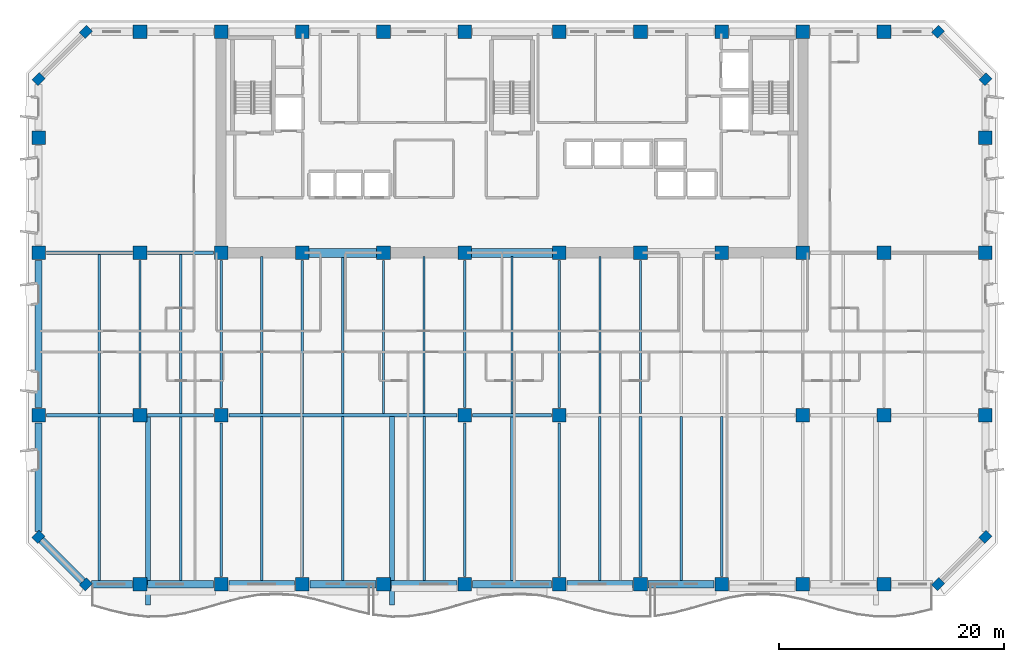
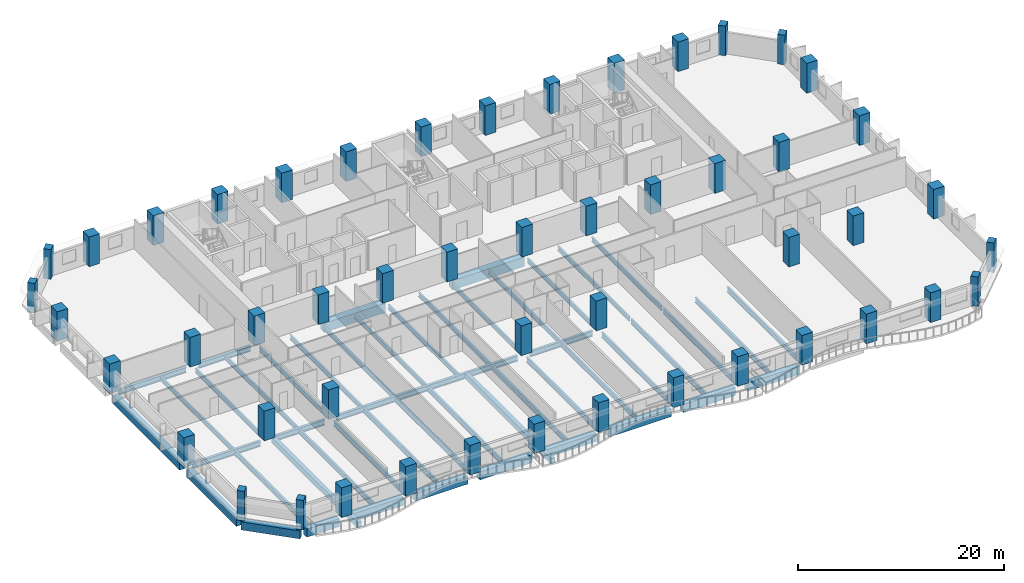
# One storey, part 1 of 14: 50 columns, 49 beams.
"""IFC4 building model written with IfcOpenShell, lengths in metres."""

from ifc_helpers import new_model, si_unit, direction, frame, origin, origin_2d, place, context, subcontext, project, spatial, rectangle, i_section, extrude, material, material_profile, profile_set, type_object, element, save


model = new_model("IFC4")

# Units and contexts
model_context = context("Model", 3, precision=1e-05, world=origin(), true_north=direction((0.0, 1.0)))
body_context = subcontext(model_context, "Body", "Model", "MODEL_VIEW")
ifc_project = project(units=[si_unit("LENGTHUNIT", "METRE"), si_unit("AREAUNIT", "SQUARE_METRE"), si_unit("VOLUMEUNIT", "CUBIC_METRE"), si_unit("PLANEANGLEUNIT", "RADIAN"), si_unit("MASSUNIT", "GRAM", prefix="KILO")], contexts=[model_context])

# Site, building, storey
site_placement = place(None, origin())
site = spatial("IfcSite", under=ifc_project, at=site_placement, CompositionType="ELEMENT")
building_placement = place(site_placement, origin())
building = spatial("IfcBuilding", under=site, at=building_placement, Name="Kaelvorn Grand Hotel", CompositionType="ELEMENT")
storey_placement = place(building_placement, frame((0.0, 0.0, 85.550048828125)))
storey = spatial("IfcBuildingStorey", under=building, at=storey_placement, Name="L19", CompositionType="ELEMENT", Elevation=85.550048828125)

# Columns
ifc_material_1 = material(Name="Concrete C60/75", Category="concrete")
ifc_material_profile_1 = material_profile(ifc_material_1, rectangle(XDim=0.89990234375, YDim=0.75, at=origin_2d()), Name="RC PILASTER 900x750")
ifc_profile_set_1 = profile_set([ifc_material_profile_1], Name="Concrete C60/75")
column_type_1 = type_object("IfcColumnType", Name="COL-PIL-900x750-C60", PredefinedType="PILASTER", material=ifc_profile_set_1)
for number, where, z_axis, x_axis, name in (
    (1, (4.199951171875, 0.0, 0.0), (0.0, 0.0, 1.0), (0.707106781187, 0.707106781187, 0.0), "L19 Structural Column CH-01"),
    (2, (79.800048828125, 0.0, 0.0), (0.0, 0.0, 1.0), (0.707106781187, 0.707106781187, 0.0), "L19 Structural Column CH-02"),
    (3, (84.0, 4.199951171875, 0.0), (0.0, 0.0, 1.0), (0.707106781187, 0.707106781187, 0.0), "L19 Structural Column CH-03"),
    (4, (84.0, 44.800048828125, 0.0), (0.0, 0.0, 1.0), (0.707106781187, 0.707106781187, 0.0), "L19 Structural Column CH-04"),
    (5, (79.800048828125, 49.0, 0.0), (0.0, 0.0, 1.0), (0.707106781187, 0.707106781187, 0.0), "L19 Structural Column CH-05"),
    (6, (4.199951171875, 49.0, 0.0), (0.0, 0.0, 1.0), (0.707106781187, 0.707106781187, 0.0), "L19 Structural Column CH-06"),
    (7, (0.0, 44.800048828125, 0.0), (0.0, 0.0, 1.0), (0.707106781187, 0.707106781187, 0.0), "L19 Structural Column CH-07"),
    (8, (0.0, 4.199951171875, 0.0), (0.0, 0.0, 1.0), (0.707106781187, 0.707106781187, 0.0), "L19 Structural Column CH-08"),
):
    element("IfcColumn", number, at=place(storey_placement, frame(where, z_axis=z_axis, x_axis=x_axis)), inside=storey, type_object=column_type_1, Name=name, PredefinedType="PILASTER", context=body_context, shape_type="SweptSolid", body=[
        extrude(rectangle(XDim=0.89990234375, YDim=0.75, at=origin_2d()), origin(), (0.0, 0.0, 1.0), 3.510009765625),
    ])
ifc_material_profile_2 = material_profile(ifc_material_1, rectangle(XDim=1.199951171875, YDim=1.199951171875, at=origin_2d()), Name="RC COL 1200x1200")
ifc_profile_set_2 = profile_set([ifc_material_profile_2], Name="Concrete C60/75")
column_type_2 = type_object("IfcColumnType", Name="COL-RC-1200-C60", PredefinedType="COLUMN", material=ifc_profile_set_2)
for number, where, z_axis, x_axis, name in (
    (9, (9.0, 0.0, 0.0), (0.0, 0.0, 1.0), (1.0, 0.0, 0.0), "L19 Structural Column S-01"),
    (10, (16.199951171875, 0.0, 0.0), (0.0, 0.0, 1.0), (1.0, 0.0, 0.0), "L19 Structural Column S-02"),
    (11, (23.39990234375, 0.0, 0.0), (0.0, 0.0, 1.0), (1.0, 0.0, 0.0), "L19 Structural Column S-03"),
    (12, (30.60009765625, 0.0, 0.0), (0.0, 0.0, 1.0), (1.0, 0.0, 0.0), "L19 Structural Column S-04"),
    (13, (37.800048828125, 0.0, 0.0), (0.0, 0.0, 1.0), (1.0, 0.0, 0.0), "L19 Structural Column S-05"),
    (14, (46.199951171875, 0.0, 0.0), (0.0, 0.0, 1.0), (1.0, 0.0, 0.0), "L19 Structural Column S-06"),
    (15, (53.39990234375, 0.0, 0.0), (0.0, 0.0, 1.0), (1.0, 0.0, 0.0), "L19 Structural Column S-07"),
    (16, (60.60009765625, 0.0, 0.0), (0.0, 0.0, 1.0), (1.0, 0.0, 0.0), "L19 Structural Column S-08"),
    (17, (67.800048828125, 0.0, 0.0), (0.0, 0.0, 1.0), (1.0, 0.0, 0.0), "L19 Structural Column S-09"),
    (18, (75.0, 0.0, 0.0), (0.0, 0.0, 1.0), (1.0, 0.0, 0.0), "L19 Structural Column S-10"),
    (19, (0.0, 15.0, 0.0), (0.0, 0.0, 1.0), (1.0, 0.0, 0.0), "L19 Structural Column W-01"),
    (20, (84.0, 15.0, 0.0), (0.0, 0.0, 1.0), (1.0, 0.0, 0.0), "L19 Structural Column E-01"),
    (21, (0.0, 29.39990234375, 0.0), (0.0, 0.0, 1.0), (1.0, 0.0, 0.0), "L19 Structural Column W-02"),
    (22, (84.0, 29.39990234375, 0.0), (0.0, 0.0, 1.0), (1.0, 0.0, 0.0), "L19 Structural Column E-02"),
    (23, (0.0, 39.60009765625, 0.0), (0.0, 0.0, 1.0), (1.0, 0.0, 0.0), "L19 Structural Column W-03"),
    (24, (84.0, 39.60009765625, 0.0), (0.0, 0.0, 1.0), (1.0, 0.0, 0.0), "L19 Structural Column E-03"),
    (25, (9.0, 15.0, 0.0), (0.0, 0.0, 1.0), (1.0, 0.0, 0.0), "L19 Structural Column M-01"),
    (26, (16.199951171875, 15.0, 0.0), (0.0, 0.0, 1.0), (1.0, 0.0, 0.0), "L19 Structural Column M-02"),
    (27, (37.800048828125, 15.0, 0.0), (0.0, 0.0, 1.0), (1.0, 0.0, 0.0), "L19 Structural Column M-03"),
    (28, (46.199951171875, 15.0, 0.0), (0.0, 0.0, 1.0), (1.0, 0.0, 0.0), "L19 Structural Column M-04"),
    (29, (67.800048828125, 15.0, 0.0), (0.0, 0.0, 1.0), (1.0, 0.0, 0.0), "L19 Structural Column M-05"),
    (30, (75.0, 15.0, 0.0), (0.0, 0.0, 1.0), (1.0, 0.0, 0.0), "L19 Structural Column M-06"),
    (31, (9.0, 29.39990234375, 0.0), (0.0, 0.0, 1.0), (1.0, 0.0, 0.0), "L19 Structural Column CR1-01"),
    (32, (9.0, 49.0, 0.0), (0.0, 0.0, 1.0), (1.0, 0.0, 0.0), "L19 Structural Column CR2-01"),
    (33, (16.199951171875, 29.39990234375, 0.0), (0.0, 0.0, 1.0), (1.0, 0.0, 0.0), "L19 Structural Column CR1-02"),
    (34, (16.199951171875, 49.0, 0.0), (0.0, 0.0, 1.0), (1.0, 0.0, 0.0), "L19 Structural Column CR2-02"),
    (35, (23.39990234375, 29.39990234375, 0.0), (0.0, 0.0, 1.0), (1.0, 0.0, 0.0), "L19 Structural Column CR1-03"),
    (36, (23.39990234375, 49.0, 0.0), (0.0, 0.0, 1.0), (1.0, 0.0, 0.0), "L19 Structural Column CR2-03"),
    (37, (30.60009765625, 29.39990234375, 0.0), (0.0, 0.0, 1.0), (1.0, 0.0, 0.0), "L19 Structural Column CR1-04"),
    (38, (30.60009765625, 49.0, 0.0), (0.0, 0.0, 1.0), (1.0, 0.0, 0.0), "L19 Structural Column CR2-04"),
    (39, (37.800048828125, 29.39990234375, 0.0), (0.0, 0.0, 1.0), (1.0, 0.0, 0.0), "L19 Structural Column CR1-05"),
    (40, (37.800048828125, 49.0, 0.0), (0.0, 0.0, 1.0), (1.0, 0.0, 0.0), "L19 Structural Column CR2-05"),
    (41, (46.199951171875, 29.39990234375, 0.0), (0.0, 0.0, 1.0), (1.0, 0.0, 0.0), "L19 Structural Column CR1-06"),
    (42, (46.199951171875, 49.0, 0.0), (0.0, 0.0, 1.0), (1.0, 0.0, 0.0), "L19 Structural Column CR2-06"),
    (43, (53.39990234375, 29.39990234375, 0.0), (0.0, 0.0, 1.0), (1.0, 0.0, 0.0), "L19 Structural Column CR1-07"),
    (44, (53.39990234375, 49.0, 0.0), (0.0, 0.0, 1.0), (1.0, 0.0, 0.0), "L19 Structural Column CR2-07"),
    (45, (60.60009765625, 29.39990234375, 0.0), (0.0, 0.0, 1.0), (1.0, 0.0, 0.0), "L19 Structural Column CR1-08"),
    (46, (60.60009765625, 49.0, 0.0), (0.0, 0.0, 1.0), (1.0, 0.0, 0.0), "L19 Structural Column CR2-08"),
    (47, (67.800048828125, 29.39990234375, 0.0), (0.0, 0.0, 1.0), (1.0, 0.0, 0.0), "L19 Structural Column CR1-09"),
    (48, (67.800048828125, 49.0, 0.0), (0.0, 0.0, 1.0), (1.0, 0.0, 0.0), "L19 Structural Column CR2-09"),
    (49, (75.0, 29.39990234375, 0.0), (0.0, 0.0, 1.0), (1.0, 0.0, 0.0), "L19 Structural Column CR1-10"),
    (50, (75.0, 49.0, 0.0), (0.0, 0.0, 1.0), (1.0, 0.0, 0.0), "L19 Structural Column CR2-10"),
):
    element("IfcColumn", number, at=place(storey_placement, frame(where, z_axis=z_axis, x_axis=x_axis)), inside=storey, type_object=column_type_2, Name=name, PredefinedType="COLUMN", context=body_context, shape_type="SweptSolid", body=[
        extrude(rectangle(XDim=1.199951171875, YDim=1.199951171875, at=origin_2d()), origin(), (0.0, 0.0, 1.0), 3.510009765625),
    ])

# Beams
ifc_material_2 = material(Name="Steel S355", Category="steel")
ifc_material_profile_3 = material_profile(ifc_material_2, i_section(OverallWidth=0.300048828125, OverallDepth=0.64990234375, WebThickness=0.01611328125, FlangeThickness=0.031005859375, FilletRadius=0.027099609375, at=origin_2d()), Name="HEB 650")
ifc_profile_set_3 = profile_set([ifc_material_profile_3], Name="Steel S355")
beam_type_1 = type_object("IfcBeamType", Name="BM-G-HEB650-S355", PredefinedType="BEAM", material=ifc_profile_set_3)
beam_1_placement = place(storey_placement, frame((0.68505859375, 15.0, -0.56494140625), z_axis=(1.0, 0.0, 0.0), x_axis=(0.0, 1.0, 0.0)))
element("IfcBeam", 51, at=beam_1_placement, inside=storey, type_object=beam_type_1, Name="L19 Primary Spine Steel Girder G-15 01", PredefinedType="BEAM", context=body_context, shape_type="SweptSolid", body=[
    extrude(i_section(OverallWidth=0.300048828125, OverallDepth=0.64990234375, WebThickness=0.01611328125, FlangeThickness=0.031005859375, FilletRadius=0.027099609375, at=origin_2d()), origin(), (0.0, 0.0, 1.0), 7.6298828125),
])
beam_2_placement = place(storey_placement, frame((9.68505859375, 15.0, -0.56494140625), z_axis=(1.0, 0.0, 0.0), x_axis=(0.0, 1.0, 0.0)))
element("IfcBeam", 52, at=beam_2_placement, inside=storey, type_object=beam_type_1, Name="L19 Primary Spine Steel Girder G-15 02", PredefinedType="BEAM", context=body_context, shape_type="SweptSolid", body=[
    extrude(i_section(OverallWidth=0.300048828125, OverallDepth=0.64990234375, WebThickness=0.01611328125, FlangeThickness=0.031005859375, FilletRadius=0.027099609375, at=origin_2d()), origin(), (0.0, 0.0, 1.0), 5.829833984375),
])
beam_3_placement = place(storey_placement, frame((16.885009765625, 15.0, -0.56494140625), z_axis=(1.0, 0.0, 0.0), x_axis=(0.0, 1.0, 0.0)))
element("IfcBeam", 53, at=beam_3_placement, inside=storey, type_object=beam_type_1, Name="L19 Primary Spine Steel Girder G-15 03", PredefinedType="BEAM", context=body_context, shape_type="SweptSolid", body=[
    extrude(i_section(OverallWidth=0.300048828125, OverallDepth=0.64990234375, WebThickness=0.01611328125, FlangeThickness=0.031005859375, FilletRadius=0.027099609375, at=origin_2d()), origin(), (0.0, 0.0, 1.0), 20.22998046875),
])
beam_4_placement = place(storey_placement, frame((38.485107421875, 15.0, -0.56494140625), z_axis=(1.0, 0.0, 0.0), x_axis=(0.0, 1.0, 0.0)))
element("IfcBeam", 54, at=beam_4_placement, inside=storey, type_object=beam_type_1, Name="L19 Primary Spine Steel Girder G-15 04", PredefinedType="BEAM", context=body_context, shape_type="SweptSolid", body=[
    extrude(i_section(OverallWidth=0.300048828125, OverallDepth=0.64990234375, WebThickness=0.01611328125, FlangeThickness=0.031005859375, FilletRadius=0.027099609375, at=origin_2d()), origin(), (0.0, 0.0, 1.0), 7.02978515625),
])
beam_5_placement = place(storey_placement, frame((0.68505859375, 29.39990234375, -0.56494140625), z_axis=(1.0, 0.0, 0.0), x_axis=(0.0, 1.0, 0.0)))
element("IfcBeam", 55, at=beam_5_placement, inside=storey, type_object=beam_type_1, Name="L19 West Core Wing Steel Girder G-29W 01", PredefinedType="BEAM", context=body_context, shape_type="SweptSolid", body=[
    extrude(i_section(OverallWidth=0.300048828125, OverallDepth=0.64990234375, WebThickness=0.01611328125, FlangeThickness=0.031005859375, FilletRadius=0.027099609375, at=origin_2d()), origin(), (0.0, 0.0, 1.0), 7.6298828125),
])
beam_6_placement = place(storey_placement, frame((9.68505859375, 29.39990234375, -0.56494140625), z_axis=(1.0, 0.0, 0.0), x_axis=(0.0, 1.0, 0.0)))
element("IfcBeam", 56, at=beam_6_placement, inside=storey, type_object=beam_type_1, Name="L19 West Core Wing Steel Girder G-29W 02", PredefinedType="BEAM", context=body_context, shape_type="SweptSolid", body=[
    extrude(i_section(OverallWidth=0.300048828125, OverallDepth=0.64990234375, WebThickness=0.01611328125, FlangeThickness=0.031005859375, FilletRadius=0.027099609375, at=origin_2d()), origin(), (0.0, 0.0, 1.0), 5.829833984375),
])
ifc_material_profile_4 = material_profile(ifc_material_2, i_section(OverallWidth=0.209228515625, OverallDepth=0.533203125, WebThickness=0.010009765625, FlangeThickness=0.015625, FilletRadius=0.0126953125, at=origin_2d()), Name="UB 533x210x92")
ifc_profile_set_4 = profile_set([ifc_material_profile_4], Name="Steel S355")
beam_type_2 = type_object("IfcBeamType", Name="BM-J-UB533-S355", PredefinedType="JOIST", material=ifc_profile_set_4)
beam_7_placement = place(storey_placement, frame((5.39990234375, 15.135009765625, -0.506591796875), z_axis=(0.0, 1.0, 0.0), x_axis=(-1.0, 0.0, 0.0)))
element("IfcBeam", 57, at=beam_7_placement, inside=storey, type_object=beam_type_2, Name="L19 Composite Floor Joist JM-02", PredefinedType="JOIST", context=body_context, shape_type="SweptSolid", body=[
    extrude(i_section(OverallWidth=0.209228515625, OverallDepth=0.533203125, WebThickness=0.010009765625, FlangeThickness=0.015625, FilletRadius=0.0126953125, at=origin_2d()), origin(), (0.0, 0.0, 1.0), 14.1298828125),
])
beam_8_placement = place(storey_placement, frame((9.0, 15.68505859375, -0.506591796875), z_axis=(0.0, 1.0, 0.0), x_axis=(-1.0, 0.0, 0.0)))
element("IfcBeam", 58, at=beam_8_placement, inside=storey, type_object=beam_type_2, Name="L19 Composite Floor Joist JM-03", PredefinedType="JOIST", context=body_context, shape_type="SweptSolid", body=[
    extrude(i_section(OverallWidth=0.209228515625, OverallDepth=0.533203125, WebThickness=0.010009765625, FlangeThickness=0.015625, FilletRadius=0.0126953125, at=origin_2d()), origin(), (0.0, 0.0, 1.0), 13.030029296875),
])
beam_9_placement = place(storey_placement, frame((12.60009765625, 15.135009765625, -0.506591796875), z_axis=(0.0, 1.0, 0.0), x_axis=(-1.0, 0.0, 0.0)))
element("IfcBeam", 59, at=beam_9_placement, inside=storey, type_object=beam_type_2, Name="L19 Composite Floor Joist JM-04", PredefinedType="JOIST", context=body_context, shape_type="SweptSolid", body=[
    extrude(i_section(OverallWidth=0.209228515625, OverallDepth=0.533203125, WebThickness=0.010009765625, FlangeThickness=0.015625, FilletRadius=0.0126953125, at=origin_2d()), origin(), (0.0, 0.0, 1.0), 14.1298828125),
])
beam_10_placement = place(storey_placement, frame((16.199951171875, 15.68505859375, -0.506591796875), z_axis=(0.0, 1.0, 0.0), x_axis=(-1.0, 0.0, 0.0)))
element("IfcBeam", 60, at=beam_10_placement, inside=storey, type_object=beam_type_2, Name="L19 Composite Floor Joist JM-05", PredefinedType="JOIST", context=body_context, shape_type="SweptSolid", body=[
    extrude(i_section(OverallWidth=0.209228515625, OverallDepth=0.533203125, WebThickness=0.010009765625, FlangeThickness=0.015625, FilletRadius=0.0126953125, at=origin_2d()), origin(), (0.0, 0.0, 1.0), 13.030029296875),
])
beam_11_placement = place(storey_placement, frame((19.800048828125, 15.135009765625, -0.506591796875), z_axis=(0.0, 1.0, 0.0), x_axis=(-1.0, 0.0, 0.0)))
element("IfcBeam", 61, at=beam_11_placement, inside=storey, type_object=beam_type_2, Name="L19 Composite Floor Joist JM-06", PredefinedType="JOIST", context=body_context, shape_type="SweptSolid", body=[
    extrude(i_section(OverallWidth=0.209228515625, OverallDepth=0.533203125, WebThickness=0.010009765625, FlangeThickness=0.015625, FilletRadius=0.0126953125, at=origin_2d()), origin(), (0.0, 0.0, 1.0), 13.925048828125),
])
beam_12_placement = place(storey_placement, frame((23.39990234375, 15.135009765625, -0.506591796875), z_axis=(0.0, 1.0, 0.0), x_axis=(-1.0, 0.0, 0.0)))
element("IfcBeam", 62, at=beam_12_placement, inside=storey, type_object=beam_type_2, Name="L19 Composite Floor Joist JM-07", PredefinedType="JOIST", context=body_context, shape_type="SweptSolid", body=[
    extrude(i_section(OverallWidth=0.209228515625, OverallDepth=0.533203125, WebThickness=0.010009765625, FlangeThickness=0.015625, FilletRadius=0.0126953125, at=origin_2d()), origin(), (0.0, 0.0, 1.0), 13.580078125),
])
beam_13_placement = place(storey_placement, frame((27.0, 15.135009765625, -0.506591796875), z_axis=(0.0, 1.0, 0.0), x_axis=(-1.0, 0.0, 0.0)))
element("IfcBeam", 63, at=beam_13_placement, inside=storey, type_object=beam_type_2, Name="L19 Composite Floor Joist JM-08", PredefinedType="JOIST", context=body_context, shape_type="SweptSolid", body=[
    extrude(i_section(OverallWidth=0.209228515625, OverallDepth=0.533203125, WebThickness=0.010009765625, FlangeThickness=0.015625, FilletRadius=0.0126953125, at=origin_2d()), origin(), (0.0, 0.0, 1.0), 13.925048828125),
])
beam_14_placement = place(storey_placement, frame((30.60009765625, 15.135009765625, -0.506591796875), z_axis=(0.0, 1.0, 0.0), x_axis=(-1.0, 0.0, 0.0)))
element("IfcBeam", 64, at=beam_14_placement, inside=storey, type_object=beam_type_2, Name="L19 Composite Floor Joist JM-09", PredefinedType="JOIST", context=body_context, shape_type="SweptSolid", body=[
    extrude(i_section(OverallWidth=0.209228515625, OverallDepth=0.533203125, WebThickness=0.010009765625, FlangeThickness=0.015625, FilletRadius=0.0126953125, at=origin_2d()), origin(), (0.0, 0.0, 1.0), 13.580078125),
])
beam_15_placement = place(storey_placement, frame((34.199951171875, 15.135009765625, -0.506591796875), z_axis=(0.0, 1.0, 0.0), x_axis=(-1.0, 0.0, 0.0)))
element("IfcBeam", 65, at=beam_15_placement, inside=storey, type_object=beam_type_2, Name="L19 Composite Floor Joist JM-10", PredefinedType="JOIST", context=body_context, shape_type="SweptSolid", body=[
    extrude(i_section(OverallWidth=0.209228515625, OverallDepth=0.533203125, WebThickness=0.010009765625, FlangeThickness=0.015625, FilletRadius=0.0126953125, at=origin_2d()), origin(), (0.0, 0.0, 1.0), 13.925048828125),
])
beam_16_placement = place(storey_placement, frame((37.800048828125, 15.68505859375, -0.506591796875), z_axis=(0.0, 1.0, 0.0), x_axis=(-1.0, 0.0, 0.0)))
element("IfcBeam", 66, at=beam_16_placement, inside=storey, type_object=beam_type_2, Name="L19 Composite Floor Joist JM-11", PredefinedType="JOIST", context=body_context, shape_type="SweptSolid", body=[
    extrude(i_section(OverallWidth=0.209228515625, OverallDepth=0.533203125, WebThickness=0.010009765625, FlangeThickness=0.015625, FilletRadius=0.0126953125, at=origin_2d()), origin(), (0.0, 0.0, 1.0), 13.030029296875),
])
beam_17_placement = place(storey_placement, frame((42.0, 15.135009765625, -0.506591796875), z_axis=(0.0, 1.0, 0.0), x_axis=(-1.0, 0.0, 0.0)))
element("IfcBeam", 67, at=beam_17_placement, inside=storey, type_object=beam_type_2, Name="L19 Composite Floor Joist JM-12", PredefinedType="JOIST", context=body_context, shape_type="SweptSolid", body=[
    extrude(i_section(OverallWidth=0.209228515625, OverallDepth=0.533203125, WebThickness=0.010009765625, FlangeThickness=0.015625, FilletRadius=0.0126953125, at=origin_2d()), origin(), (0.0, 0.0, 1.0), 13.925048828125),
])
beam_18_placement = place(storey_placement, frame((46.199951171875, 15.68505859375, -0.506591796875), z_axis=(0.0, 1.0, 0.0), x_axis=(-1.0, 0.0, 0.0)))
element("IfcBeam", 68, at=beam_18_placement, inside=storey, type_object=beam_type_2, Name="L19 Composite Floor Joist JM-13", PredefinedType="JOIST", context=body_context, shape_type="SweptSolid", body=[
    extrude(i_section(OverallWidth=0.209228515625, OverallDepth=0.533203125, WebThickness=0.010009765625, FlangeThickness=0.015625, FilletRadius=0.0126953125, at=origin_2d()), origin(), (0.0, 0.0, 1.0), 13.030029296875),
])
beam_19_placement = place(storey_placement, frame((49.800048828125, 15.135009765625, -0.506591796875), z_axis=(0.0, 1.0, 0.0), x_axis=(-1.0, 0.0, 0.0)))
element("IfcBeam", 69, at=beam_19_placement, inside=storey, type_object=beam_type_2, Name="L19 Composite Floor Joist JM-14", PredefinedType="JOIST", context=body_context, shape_type="SweptSolid", body=[
    extrude(i_section(OverallWidth=0.209228515625, OverallDepth=0.533203125, WebThickness=0.010009765625, FlangeThickness=0.015625, FilletRadius=0.0126953125, at=origin_2d()), origin(), (0.0, 0.0, 1.0), 13.925048828125),
])
beam_20_placement = place(storey_placement, frame((53.39990234375, 15.135009765625, -0.506591796875), z_axis=(0.0, 1.0, 0.0), x_axis=(-1.0, 0.0, 0.0)))
element("IfcBeam", 70, at=beam_20_placement, inside=storey, type_object=beam_type_2, Name="L19 Composite Floor Joist JM-15", PredefinedType="JOIST", context=body_context, shape_type="SweptSolid", body=[
    extrude(i_section(OverallWidth=0.209228515625, OverallDepth=0.533203125, WebThickness=0.010009765625, FlangeThickness=0.015625, FilletRadius=0.0126953125, at=origin_2d()), origin(), (0.0, 0.0, 1.0), 13.580078125),
])
ifc_material_profile_5 = material_profile(ifc_material_2, i_section(OverallWidth=0.22900390625, OverallDepth=0.6123046875, WebThickness=0.011962890625, FlangeThickness=0.01953125, FilletRadius=0.0126953125, at=origin_2d()), Name="UB 610x229x125")
ifc_profile_set_5 = profile_set([ifc_material_profile_5], Name="Steel S355")
beam_type_3 = type_object("IfcBeamType", Name="BM-J-UB610-S355", PredefinedType="JOIST", material=ifc_profile_set_5)
for number, where, z_axis, x_axis, name in (
    (71, (5.39990234375, 0.31005859375, -0.546142578125), (0.0, 1.0, 0.0), (-1.0, 0.0, 0.0), "L19 Composite Floor Joist JS-02"),
    (72, (12.60009765625, 0.31005859375, -0.546142578125), (0.0, 1.0, 0.0), (-1.0, 0.0, 0.0), "L19 Composite Floor Joist JS-04"),
):
    element("IfcBeam", number, at=place(storey_placement, frame(where, z_axis=z_axis, x_axis=x_axis)), inside=storey, type_object=beam_type_3, Name=name, PredefinedType="JOIST", context=body_context, shape_type="SweptSolid", body=[
        extrude(i_section(OverallWidth=0.22900390625, OverallDepth=0.6123046875, WebThickness=0.011962890625, FlangeThickness=0.01953125, FilletRadius=0.0126953125, at=origin_2d()), origin(), (0.0, 0.0, 1.0), 14.554931640625),
    ])
beam_21_placement = place(storey_placement, frame((16.199951171875, 0.68505859375, -0.546142578125), z_axis=(0.0, 1.0, 0.0), x_axis=(-1.0, 0.0, 0.0)))
element("IfcBeam", 73, at=beam_21_placement, inside=storey, type_object=beam_type_3, Name="L19 Composite Floor Joist JS-05", PredefinedType="JOIST", context=body_context, shape_type="SweptSolid", body=[
    extrude(i_section(OverallWidth=0.22900390625, OverallDepth=0.6123046875, WebThickness=0.011962890625, FlangeThickness=0.01953125, FilletRadius=0.0126953125, at=origin_2d()), origin(), (0.0, 0.0, 1.0), 13.6298828125),
])
beam_22_placement = place(storey_placement, frame((19.800048828125, 0.31005859375, -0.546142578125), z_axis=(0.0, 1.0, 0.0), x_axis=(-1.0, 0.0, 0.0)))
element("IfcBeam", 74, at=beam_22_placement, inside=storey, type_object=beam_type_3, Name="L19 Composite Floor Joist JS-06", PredefinedType="JOIST", context=body_context, shape_type="SweptSolid", body=[
    extrude(i_section(OverallWidth=0.22900390625, OverallDepth=0.6123046875, WebThickness=0.011962890625, FlangeThickness=0.01953125, FilletRadius=0.0126953125, at=origin_2d()), origin(), (0.0, 0.0, 1.0), 14.554931640625),
])
beam_23_placement = place(storey_placement, frame((23.39990234375, 0.68505859375, -0.546142578125), z_axis=(0.0, 1.0, 0.0), x_axis=(-1.0, 0.0, 0.0)))
element("IfcBeam", 75, at=beam_23_placement, inside=storey, type_object=beam_type_3, Name="L19 Composite Floor Joist JS-07", PredefinedType="JOIST", context=body_context, shape_type="SweptSolid", body=[
    extrude(i_section(OverallWidth=0.22900390625, OverallDepth=0.6123046875, WebThickness=0.011962890625, FlangeThickness=0.01953125, FilletRadius=0.0126953125, at=origin_2d()), origin(), (0.0, 0.0, 1.0), 14.179931640625),
])
for number, where, z_axis, x_axis, name in (
    (76, (27.0, 0.31005859375, -0.546142578125), (0.0, 1.0, 0.0), (-1.0, 0.0, 0.0), "L19 Composite Floor Joist JS-08"),
    (77, (34.199951171875, 0.31005859375, -0.546142578125), (0.0, 1.0, 0.0), (-1.0, 0.0, 0.0), "L19 Composite Floor Joist JS-10"),
):
    element("IfcBeam", number, at=place(storey_placement, frame(where, z_axis=z_axis, x_axis=x_axis)), inside=storey, type_object=beam_type_3, Name=name, PredefinedType="JOIST", context=body_context, shape_type="SweptSolid", body=[
        extrude(i_section(OverallWidth=0.22900390625, OverallDepth=0.6123046875, WebThickness=0.011962890625, FlangeThickness=0.01953125, FilletRadius=0.0126953125, at=origin_2d()), origin(), (0.0, 0.0, 1.0), 14.554931640625),
    ])
beam_24_placement = place(storey_placement, frame((37.800048828125, 0.68505859375, -0.546142578125), z_axis=(0.0, 1.0, 0.0), x_axis=(-1.0, 0.0, 0.0)))
element("IfcBeam", 78, at=beam_24_placement, inside=storey, type_object=beam_type_3, Name="L19 Composite Floor Joist JS-11", PredefinedType="JOIST", context=body_context, shape_type="SweptSolid", body=[
    extrude(i_section(OverallWidth=0.22900390625, OverallDepth=0.6123046875, WebThickness=0.011962890625, FlangeThickness=0.01953125, FilletRadius=0.0126953125, at=origin_2d()), origin(), (0.0, 0.0, 1.0), 13.6298828125),
])
beam_25_placement = place(storey_placement, frame((42.0, 0.31005859375, -0.546142578125), z_axis=(0.0, 1.0, 0.0), x_axis=(-1.0, 0.0, 0.0)))
element("IfcBeam", 79, at=beam_25_placement, inside=storey, type_object=beam_type_3, Name="L19 Composite Floor Joist JS-12", PredefinedType="JOIST", context=body_context, shape_type="SweptSolid", body=[
    extrude(i_section(OverallWidth=0.22900390625, OverallDepth=0.6123046875, WebThickness=0.011962890625, FlangeThickness=0.01953125, FilletRadius=0.0126953125, at=origin_2d()), origin(), (0.0, 0.0, 1.0), 14.554931640625),
])
beam_26_placement = place(storey_placement, frame((46.199951171875, 0.68505859375, -0.546142578125), z_axis=(0.0, 1.0, 0.0), x_axis=(-1.0, 0.0, 0.0)))
element("IfcBeam", 80, at=beam_26_placement, inside=storey, type_object=beam_type_3, Name="L19 Composite Floor Joist JS-13", PredefinedType="JOIST", context=body_context, shape_type="SweptSolid", body=[
    extrude(i_section(OverallWidth=0.22900390625, OverallDepth=0.6123046875, WebThickness=0.011962890625, FlangeThickness=0.01953125, FilletRadius=0.0126953125, at=origin_2d()), origin(), (0.0, 0.0, 1.0), 13.6298828125),
])
beam_27_placement = place(storey_placement, frame((49.800048828125, 0.31005859375, -0.546142578125), z_axis=(0.0, 1.0, 0.0), x_axis=(-1.0, 0.0, 0.0)))
element("IfcBeam", 81, at=beam_27_placement, inside=storey, type_object=beam_type_3, Name="L19 Composite Floor Joist JS-14", PredefinedType="JOIST", context=body_context, shape_type="SweptSolid", body=[
    extrude(i_section(OverallWidth=0.22900390625, OverallDepth=0.6123046875, WebThickness=0.011962890625, FlangeThickness=0.01953125, FilletRadius=0.0126953125, at=origin_2d()), origin(), (0.0, 0.0, 1.0), 14.554931640625),
])
beam_28_placement = place(storey_placement, frame((53.39990234375, 0.68505859375, -0.546142578125), z_axis=(0.0, 1.0, 0.0), x_axis=(-1.0, 0.0, 0.0)))
element("IfcBeam", 82, at=beam_28_placement, inside=storey, type_object=beam_type_3, Name="L19 Composite Floor Joist JS-15", PredefinedType="JOIST", context=body_context, shape_type="SweptSolid", body=[
    extrude(i_section(OverallWidth=0.22900390625, OverallDepth=0.6123046875, WebThickness=0.011962890625, FlangeThickness=0.01953125, FilletRadius=0.0126953125, at=origin_2d()), origin(), (0.0, 0.0, 1.0), 14.179931640625),
])
beam_29_placement = place(storey_placement, frame((57.0, 0.31005859375, -0.546142578125), z_axis=(0.0, 1.0, 0.0), x_axis=(-1.0, 0.0, 0.0)))
element("IfcBeam", 83, at=beam_29_placement, inside=storey, type_object=beam_type_3, Name="L19 Composite Floor Joist JS-16", PredefinedType="JOIST", context=body_context, shape_type="SweptSolid", body=[
    extrude(i_section(OverallWidth=0.22900390625, OverallDepth=0.6123046875, WebThickness=0.011962890625, FlangeThickness=0.01953125, FilletRadius=0.0126953125, at=origin_2d()), origin(), (0.0, 0.0, 1.0), 14.554931640625),
])
beam_30_placement = place(storey_placement, frame((60.60009765625, 0.68505859375, -0.546142578125), z_axis=(0.0, 1.0, 0.0), x_axis=(-1.0, 0.0, 0.0)))
element("IfcBeam", 84, at=beam_30_placement, inside=storey, type_object=beam_type_3, Name="L19 Composite Floor Joist JS-17", PredefinedType="JOIST", context=body_context, shape_type="SweptSolid", body=[
    extrude(i_section(OverallWidth=0.22900390625, OverallDepth=0.6123046875, WebThickness=0.011962890625, FlangeThickness=0.01953125, FilletRadius=0.0126953125, at=origin_2d()), origin(), (0.0, 0.0, 1.0), 14.179931640625),
])
ifc_material_profile_6 = material_profile(ifc_material_1, rectangle(XDim=0.800048828125, YDim=1.10009765625, at=origin_2d()), Name="RC LINTEL 800x1100")
ifc_profile_set_6 = profile_set([ifc_material_profile_6], Name="Concrete C60/75")
beam_type_4 = type_object("IfcBeamType", Name="BM-LIN-800x1100-C60", PredefinedType="LINTEL", material=ifc_profile_set_6)
beam_31_placement = place(storey_placement, frame((23.580078125, 29.39990234375, -0.7900390625), z_axis=(1.0, 0.0, 0.0), x_axis=(0.0, 1.0, 0.0)))
element("IfcBeam", 85, at=beam_31_placement, inside=storey, type_object=beam_type_4, Name="L19 Rear-Core Coupling Lintel Beam CB1-01", PredefinedType="LINTEL", context=body_context, shape_type="SweptSolid", body=[
    extrude(rectangle(XDim=0.800048828125, YDim=1.10009765625, at=origin_2d()), origin(), (0.0, 0.0, 1.0), 6.83984375),
])
beam_32_placement = place(storey_placement, frame((37.97998046875, 29.39990234375, -0.7900390625), z_axis=(1.0, 0.0, 0.0), x_axis=(0.0, 1.0, 0.0)))
element("IfcBeam", 86, at=beam_32_placement, inside=storey, type_object=beam_type_4, Name="L19 Rear-Core Coupling Lintel Beam CB1-02", PredefinedType="LINTEL", context=body_context, shape_type="SweptSolid", body=[
    extrude(rectangle(XDim=0.800048828125, YDim=1.10009765625, at=origin_2d()), origin(), (0.0, 0.0, 1.0), 8.0400390625),
])
ifc_material_3 = material(Name="Concrete C40/50", Category="concrete")
ifc_material_profile_7 = material_profile(ifc_material_3, rectangle(XDim=0.449951171875, YDim=0.64990234375, at=origin_2d()), Name="RC RIB 450x650")
ifc_profile_set_7 = profile_set([ifc_material_profile_7], Name="Concrete C40/50")
beam_type_5 = type_object("IfcBeamType", Name="BM-RIB-450x650-C40", PredefinedType="SPANDREL", material=ifc_profile_set_7)
for number, where, z_axis, x_axis, name in (
    (87, (9.706787109375, -1.85009765625, -0.545166015625), (0.0, 1.0, 0.0), (-1.0, 0.0, 0.0), "L19 Cantilevered Balcony Back-Span Rib RB1-1"),
    (88, (31.368896484375, -1.85009765625, -0.545166015625), (0.0, 1.0, 0.0), (-1.0, 0.0, 0.0), "L19 Cantilevered Balcony Back-Span Rib RB1-2"),
):
    element("IfcBeam", number, at=place(storey_placement, frame(where, z_axis=z_axis, x_axis=x_axis)), inside=storey, type_object=beam_type_5, Name=name, PredefinedType="SPANDREL", context=body_context, shape_type="SweptSolid", body=[
        extrude(rectangle(XDim=0.449951171875, YDim=0.64990234375, at=origin_2d()), origin(), (0.0, 0.0, 1.0), 16.715087890625),
    ])
ifc_material_profile_8 = material_profile(ifc_material_1, rectangle(XDim=0.64990234375, YDim=0.949951171875, at=origin_2d()), Name="RC SPANDREL 650x950")
ifc_profile_set_8 = profile_set([ifc_material_profile_8], Name="Concrete C60/75")
beam_type_6 = type_object("IfcBeamType", Name="BM-SP-650x950-C60", PredefinedType="SPANDREL", material=ifc_profile_set_8)
beam_33_placement = place(storey_placement, frame((4.68505859375, 0.0, -0.715087890625), z_axis=(1.0, 0.0, 0.0), x_axis=(0.0, 1.0, 0.0)))
element("IfcBeam", 89, at=beam_33_placement, inside=storey, type_object=beam_type_6, Name="L19 South Perimeter Spandrel 01", PredefinedType="SPANDREL", context=body_context, shape_type="SweptSolid", body=[
    extrude(rectangle(XDim=0.64990234375, YDim=0.949951171875, at=origin_2d()), origin(), (0.0, 0.0, 1.0), 3.6298828125),
])
beam_34_placement = place(storey_placement, frame((9.68505859375, 0.0, -0.715087890625), z_axis=(1.0, 0.0, 0.0), x_axis=(0.0, 1.0, 0.0)))
element("IfcBeam", 90, at=beam_34_placement, inside=storey, type_object=beam_type_6, Name="L19 South Perimeter Spandrel 02", PredefinedType="SPANDREL", context=body_context, shape_type="SweptSolid", body=[
    extrude(rectangle(XDim=0.64990234375, YDim=0.949951171875, at=origin_2d()), origin(), (0.0, 0.0, 1.0), 5.829833984375),
])
for number, where, z_axis, x_axis, name in (
    (91, (16.885009765625, 0.0, -0.715087890625), (1.0, 0.0, 0.0), (0.0, 1.0, 0.0), "L19 South Perimeter Spandrel 03"),
    (92, (24.0849609375, 0.0, -0.715087890625), (1.0, 0.0, 0.0), (0.0, 1.0, 0.0), "L19 South Perimeter Spandrel 04"),
    (93, (31.284912109375, 0.0, -0.715087890625), (1.0, 0.0, 0.0), (0.0, 1.0, 0.0), "L19 South Perimeter Spandrel 05"),
):
    element("IfcBeam", number, at=place(storey_placement, frame(where, z_axis=z_axis, x_axis=x_axis)), inside=storey, type_object=beam_type_6, Name=name, PredefinedType="SPANDREL", context=body_context, shape_type="SweptSolid", body=[
        extrude(rectangle(XDim=0.64990234375, YDim=0.949951171875, at=origin_2d()), origin(), (0.0, 0.0, 1.0), 5.830078125),
    ])
beam_35_placement = place(storey_placement, frame((38.485107421875, 0.0, -0.715087890625), z_axis=(1.0, 0.0, 0.0), x_axis=(0.0, 1.0, 0.0)))
element("IfcBeam", 94, at=beam_35_placement, inside=storey, type_object=beam_type_6, Name="L19 South Perimeter Spandrel 06", PredefinedType="SPANDREL", context=body_context, shape_type="SweptSolid", body=[
    extrude(rectangle(XDim=0.64990234375, YDim=0.949951171875, at=origin_2d()), origin(), (0.0, 0.0, 1.0), 7.02978515625),
])
for number, where, z_axis, x_axis, name in (
    (95, (46.885009765625, 0.0, -0.715087890625), (1.0, 0.0, 0.0), (0.0, 1.0, 0.0), "L19 South Perimeter Spandrel 07"),
    (96, (54.0849609375, 0.0, -0.715087890625), (1.0, 0.0, 0.0), (0.0, 1.0, 0.0), "L19 South Perimeter Spandrel 08"),
):
    element("IfcBeam", number, at=place(storey_placement, frame(where, z_axis=z_axis, x_axis=x_axis)), inside=storey, type_object=beam_type_6, Name=name, PredefinedType="SPANDREL", context=body_context, shape_type="SweptSolid", body=[
        extrude(rectangle(XDim=0.64990234375, YDim=0.949951171875, at=origin_2d()), origin(), (0.0, 0.0, 1.0), 5.830078125),
    ])
beam_36_placement = place(storey_placement, frame((0.0, 4.68505859375, -0.715087890625), z_axis=(0.0, 1.0, 0.0), x_axis=(-1.0, 0.0, 0.0)))
element("IfcBeam", 97, at=beam_36_placement, inside=storey, type_object=beam_type_6, Name="L19 West Perimeter Spandrel 01", PredefinedType="SPANDREL", context=body_context, shape_type="SweptSolid", body=[
    extrude(rectangle(XDim=0.64990234375, YDim=0.949951171875, at=origin_2d()), origin(), (0.0, 0.0, 1.0), 9.6298828125),
])
beam_37_placement = place(storey_placement, frame((0.0, 15.68505859375, -0.715087890625), z_axis=(0.0, 1.0, 0.0), x_axis=(-1.0, 0.0, 0.0)))
element("IfcBeam", 98, at=beam_37_placement, inside=storey, type_object=beam_type_6, Name="L19 West Perimeter Spandrel 02", PredefinedType="SPANDREL", context=body_context, shape_type="SweptSolid", body=[
    extrude(rectangle(XDim=0.64990234375, YDim=0.949951171875, at=origin_2d()), origin(), (0.0, 0.0, 1.0), 13.030029296875),
])
beam_38_placement = place(storey_placement, frame((0.0, 4.199951171875, -0.715087890625), z_axis=(0.707106781187, -0.707106781187, 0.0), x_axis=(0.707106781187, 0.707106781187, 0.0)))
element("IfcBeam", 99, at=beam_38_placement, inside=storey, type_object=beam_type_6, Name="L19 Chamfer Spandrel Beam 4", PredefinedType="SPANDREL", context=body_context, shape_type="SweptSolid", body=[
    extrude(rectangle(XDim=0.64990234375, YDim=0.949951171875, at=origin_2d()), origin(), (0.0, 0.0, 1.0), 5.939697265625),
])

save(model, "model.ifc")
